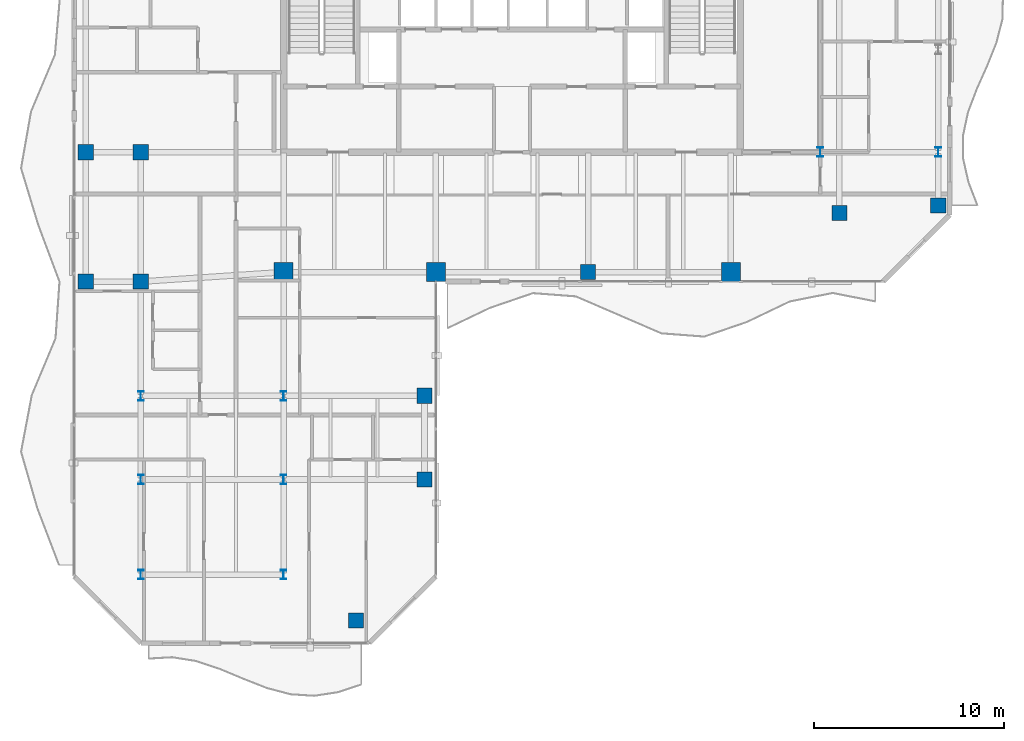
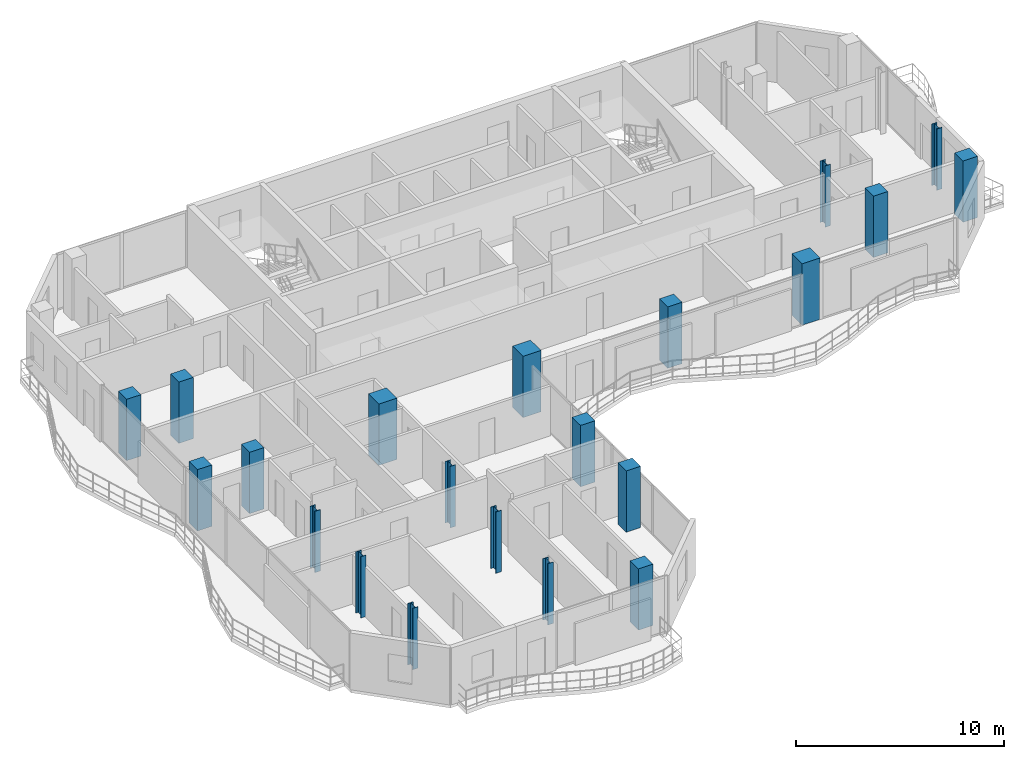
# One storey, part 1 of 23: 21 columns.
"""IFC4 building model written with IfcOpenShell, lengths in metres."""

from ifc_helpers import new_model, si_unit, direction, frame, origin, origin_2d, place, context, subcontext, project, spatial, rectangle, i_section, extrude, material, material_profile, profile_set, type_object, element, save


model = new_model("IFC4")

# Units and contexts
model_context = context("Model", 3, precision=1e-05, world=origin(), true_north=direction((0.0, 1.0)))
body_context = subcontext(model_context, "Body", "Model", "MODEL_VIEW")
ifc_project = project(units=[si_unit("LENGTHUNIT", "METRE"), si_unit("AREAUNIT", "SQUARE_METRE"), si_unit("VOLUMEUNIT", "CUBIC_METRE"), si_unit("PLANEANGLEUNIT", "RADIAN"), si_unit("MASSUNIT", "GRAM", prefix="KILO")], contexts=[model_context])

# Site, building, storey
site_placement = place(None, origin())
site = spatial("IfcSite", under=ifc_project, at=site_placement, CompositionType="ELEMENT")
building_placement = place(site_placement, origin())
building = spatial("IfcBuilding", under=site, at=building_placement, Name="Catumbela Crestline Tower", CompositionType="ELEMENT")
storey_placement = place(building_placement, frame((0.0, 0.0, 168.6)))
storey = spatial("IfcBuildingStorey", under=building, at=storey_placement, Name="L43", CompositionType="ELEMENT", Elevation=168.6)

# Columns
ifc_material_1 = material(Name="Concrete C50/60", Category="concrete")
ifc_material_profile_1 = material_profile(ifc_material_1, rectangle(XDim=1.0, YDim=1.0, at=origin_2d()), Name="RC 1000x1000")
ifc_profile_set_1 = profile_set([ifc_material_profile_1], Name="Concrete C50/60")
column_type_1 = type_object("IfcColumnType", Name="C-RC1000-C50", PredefinedType="COLUMN", material=ifc_profile_set_1)
for number, where, z_axis, x_axis, name in (
    (1, (16.0, 24.5, 0.0), (0.0, 0.0, 1.0), (1.0, 0.0, 0.0), "L43 Column C-16-24 (RC 1000x1000)"),
    (2, (24.0, 24.5, 0.0), (0.0, 0.0, 1.0), (1.0, 0.0, 0.0), "L43 Column C-24-24 (RC 1000x1000)"),
    (3, (39.5, 24.5, 0.0), (0.0, 0.0, 1.0), (1.0, 0.0, 0.0), "L43 Column C-40-24 (RC 1000x1000)"),
):
    element("IfcColumn", number, at=place(storey_placement, frame(where, z_axis=z_axis, x_axis=x_axis)), inside=storey, type_object=column_type_1, Name=name, PredefinedType="COLUMN", context=body_context, shape_type="SweptSolid", body=[
        extrude(rectangle(XDim=1.0, YDim=1.0, at=origin_2d()), origin(), (0.0, 0.0, 1.0), 3.6),
    ])
ifc_material_profile_2 = material_profile(ifc_material_1, rectangle(XDim=0.8, YDim=0.8, at=origin_2d()), Name="RC 800x800")
ifc_profile_set_2 = profile_set([ifc_material_profile_2], Name="Concrete C50/60")
column_type_2 = type_object("IfcColumnType", Name="C-RC800-C50", PredefinedType="COLUMN", material=ifc_profile_set_2)
for number, where, z_axis, x_axis, name in (
    (4, (8.5, 24.0, 0.0), (0.0, 0.0, 1.0), (1.0, 0.0, 0.0), "L43 Column C-08-24 (RC 800x800)"),
    (5, (32.0, 24.5, 0.0), (0.0, 0.0, 1.0), (1.0, 0.0, 0.0), "L43 Column C-32-24 (RC 800x800)"),
    (6, (5.6, 24.0, 0.0), (0.0, 0.0, 1.0), (1.0, 0.0, 0.0), "L43 Column C-05-24 (RC 800x800)"),
    (7, (5.6, 30.8, 0.0), (0.0, 0.0, 1.0), (1.0, 0.0, 0.0), "L43 Column C-05-31 (RC 800x800)"),
    (8, (8.5, 30.8, 0.0), (0.0, 0.0, 1.0), (1.0, 0.0, 0.0), "L43 Column C-08-31 (RC 800x800)"),
    (9, (45.2, 27.6, 0.0), (0.0, 0.0, 1.0), (1.0, 0.0, 0.0), "L43 Column C-46-24 (RC 800x800)"),
    (10, (50.4, 28.0, 0.0), (0.0, 0.0, 1.0), (1.0, 0.0, 0.0), "L43 Column C-51-24 (RC 800x800)"),
    (11, (19.8, 6.2, 0.0), (0.0, 0.0, 1.0), (1.0, 0.0, 0.0), "L43 Column C-24-05 (RC 800x800)"),
    (12, (23.4, 13.6, 0.0), (0.0, 0.0, 1.0), (1.0, 0.0, 0.0), "L43 Column C-24-10 (RC 800x800)"),
    (13, (23.4, 18.0, 0.0), (0.0, 0.0, 1.0), (1.0, 0.0, 0.0), "L43 Column C-24-16 (RC 800x800)"),
):
    element("IfcColumn", number, at=place(storey_placement, frame(where, z_axis=z_axis, x_axis=x_axis)), inside=storey, type_object=column_type_2, Name=name, PredefinedType="COLUMN", context=body_context, shape_type="SweptSolid", body=[
        extrude(rectangle(XDim=0.8, YDim=0.8, at=origin_2d()), origin(), (0.0, 0.0, 1.0), 3.6),
    ])
ifc_material_2 = material(Name="Structural steel S355J2", Category="steel")
ifc_material_profile_3 = material_profile(ifc_material_2, i_section(OverallWidth=0.3, OverallDepth=0.5, WebThickness=0.0145, FlangeThickness=0.028, FilletRadius=0.027, at=origin_2d()), Name="HEB 500")
ifc_profile_set_3 = profile_set([ifc_material_profile_3], Name="Structural steel S355J2")
column_type_3 = type_object("IfcColumnType", Name="C-ST-HEB500", PredefinedType="COLUMN", material=ifc_profile_set_3)
for number, where, z_axis, x_axis, name in (
    (14, (8.5, 8.6, 0.0), (0.0, 0.0, 1.0), (1.0, 0.0, 0.0), "L43 Column CT-05-05 (HEB 500)"),
    (15, (16.0, 8.6, 0.0), (0.0, 0.0, 1.0), (1.0, 0.0, 0.0), "L43 Column CT-14-05 (HEB 500)"),
    (16, (8.5, 13.6, 0.0), (0.0, 0.0, 1.0), (1.0, 0.0, 0.0), "L43 Column CT-05-10 (HEB 500)"),
    (17, (16.0, 13.6, 0.0), (0.0, 0.0, 1.0), (1.0, 0.0, 0.0), "L43 Column CT-14-10 (HEB 500)"),
    (18, (8.5, 18.0, 0.0), (0.0, 0.0, 1.0), (1.0, 0.0, 0.0), "L43 Column CT-05-16 (HEB 500)"),
    (19, (16.0, 18.0, 0.0), (0.0, 0.0, 1.0), (1.0, 0.0, 0.0), "L43 Column CT-14-16 (HEB 500)"),
    (20, (44.2, 30.8, 0.0), (0.0, 0.0, 1.0), (1.0, 0.0, 0.0), "L43 Column CT-46-31 (HEB 500)"),
    (21, (50.4, 30.8, 0.0), (0.0, 0.0, 1.0), (1.0, 0.0, 0.0), "L43 Column CT-51-31 (HEB 500)"),
):
    element("IfcColumn", number, at=place(storey_placement, frame(where, z_axis=z_axis, x_axis=x_axis)), inside=storey, type_object=column_type_3, Name=name, PredefinedType="COLUMN", context=body_context, shape_type="SweptSolid", body=[
        extrude(i_section(OverallWidth=0.3, OverallDepth=0.5, WebThickness=0.0145, FlangeThickness=0.028, FilletRadius=0.027, at=origin_2d()), origin(), (0.0, 0.0, 1.0), 3.6),
    ])

save(model, "model.ifc")
